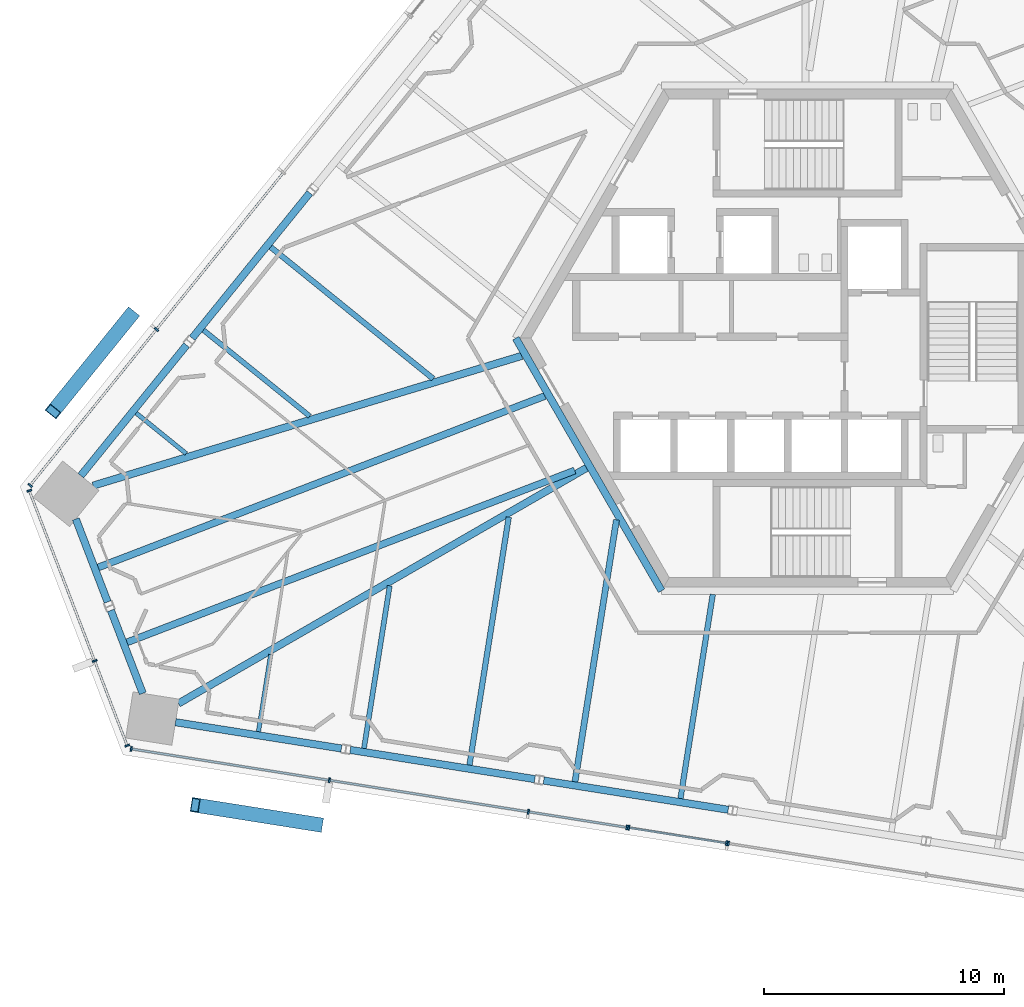
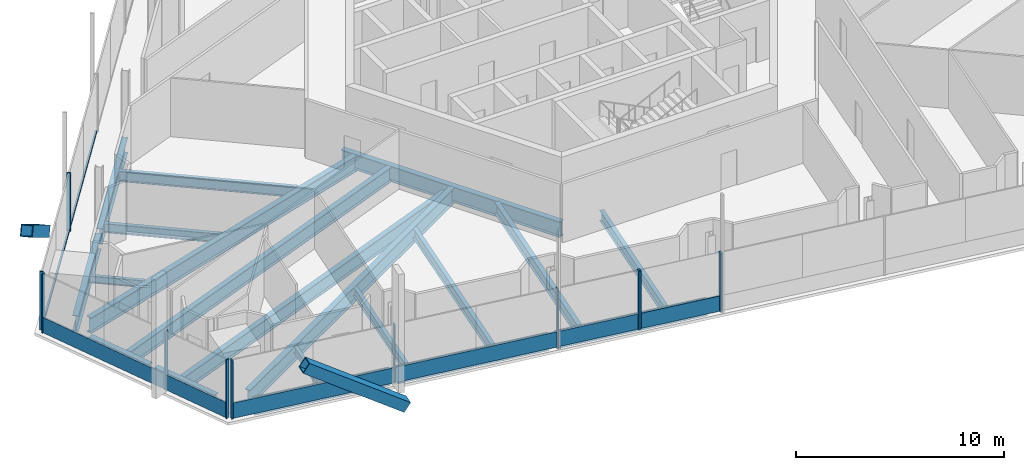
# One storey, part 4 of 23: 22 members, 20 beams, 5 elements without a shape of their own.
"""IFC4 building model written with IfcOpenShell, lengths in metres."""

import ifcopenshell
import ifcopenshell.guid

model = None  # the IFC model being written
_history = None  # IfcOwnerHistory: only IFC2X3 demands one
_inside = {}  # id of a spatial element -> (the spatial element, [elements in it])
_under = {}  # id of a project, library or spatial element -> (it, [spatial elements below it])
_declared = {}  # id of a project -> (the project, [libraries it declares])
_typed = {}  # id of a type object -> (the type object, [elements of that type])
_made_of = {}  # id of a material, layer set ... -> (it, [elements and type objects made of it])


def new_model(schema):
    """Start an empty IFC model of exactly this schema.

    Asked for "IFC4X3", IfcOpenShell would pick the latest addendum, in which some entities
    have other attributes; the version numbers below select the first issue.
    IFC2X3 requires an IfcOwnerHistory on every rooted entity: one is made here for all.
    """
    global model, _history
    if schema == "IFC4X3":
        model = ifcopenshell.file(schema_version=(4, 3, 0, 0))
    else:
        model = ifcopenshell.file(schema=schema)
    _inside.clear()
    _under.clear()
    _declared.clear()
    _typed.clear()
    _made_of.clear()
    _history = None
    if model.schema == "IFC2X3":
        org = make("IfcOrganization", Name="unknown")
        user = make(
            "IfcPersonAndOrganization",
            ThePerson=make("IfcPerson", FamilyName="unknown"),
            TheOrganization=org,
        )
        app = make(
            "IfcApplication",
            ApplicationDeveloper=org,
            Version="unknown",
            ApplicationFullName="unknown",
            ApplicationIdentifier="unknown",
        )
        _history = make(
            "IfcOwnerHistory",
            OwningUser=user,
            OwningApplication=app,
            ChangeAction="ADDED",
            CreationDate=0,
        )
    return model


def make(cls, **values):
    """One entity of the class cls with the attributes given. An attribute that is None is left unset."""
    return model.create_entity(
        cls, **{name: value for name, value in values.items() if value is not None}
    )


def rooted(cls, **values):
    """An entity with a GlobalId (a new one), such as an element, a storey or a relation."""
    return make(cls, GlobalId=ifcopenshell.guid.new(), OwnerHistory=_history, **values)


def si_unit(unit_type, name, prefix=None):
    """IfcSIUnit, for example si_unit("LENGTHUNIT", "METRE", prefix="MILLI")."""
    return make("IfcSIUnit", UnitType=unit_type, Prefix=prefix, Name=name)


def assignment(units):
    """IfcUnitAssignment: the units of a project."""
    return None if units is None else make("IfcUnitAssignment", Units=units)


def point(xyz):
    """IfcCartesianPoint."""
    return None if xyz is None else make("IfcCartesianPoint", Coordinates=xyz)


def direction(xyz):
    """IfcDirection."""
    return None if xyz is None else make("IfcDirection", DirectionRatios=xyz)


def frame(location, z_axis=None, x_axis=None):
    """IfcAxis2Placement3D, a coordinate frame: its origin and axes. An axis left out is left unset."""
    return make(
        "IfcAxis2Placement3D",
        Location=point(location),
        Axis=direction(z_axis),
        RefDirection=direction(x_axis),
    )


def frame_2d(location, x_axis=None):
    """IfcAxis2Placement2D, a coordinate frame in the plane: its origin and x axis."""
    return make(
        "IfcAxis2Placement2D", Location=point(location), RefDirection=direction(x_axis)
    )


def origin():
    """The frame at (0, 0, 0) with its axes left unset."""
    return frame((0.0, 0.0, 0.0))


def origin_2d():
    """The frame at (0, 0) in the plane with its x axis left unset."""
    return frame_2d((0.0, 0.0))


def place(relative_to, where):
    """IfcLocalPlacement: puts the frame where relative to a parent placement (None: the world)."""
    return make(
        "IfcLocalPlacement", PlacementRelTo=relative_to, RelativePlacement=where
    )


def context(
    kind, dimensions, precision=None, world=None, true_north=None, identifier=None
):
    """IfcGeometricRepresentationContext, for example the 3D "Model" context."""
    return make(
        "IfcGeometricRepresentationContext",
        ContextIdentifier=identifier,
        ContextType=kind,
        CoordinateSpaceDimension=dimensions,
        Precision=precision,
        WorldCoordinateSystem=world,
        TrueNorth=true_north,
    )


def subcontext(parent, identifier, kind, view, scale=None):
    """IfcGeometricRepresentationSubContext, for example "Body" below "Model"."""
    return make(
        "IfcGeometricRepresentationSubContext",
        ContextIdentifier=identifier,
        ContextType=kind,
        ParentContext=parent,
        TargetScale=scale,
        TargetView=view,
    )


def project(units=None, contexts=None):
    """IfcProject with its units and contexts."""
    return rooted(
        "IfcProject",
        Name="project",
        RepresentationContexts=contexts,
        UnitsInContext=assignment(units),
    )


def spatial(cls, under=None, at=None, **own):
    """A site, building, storey or space (cls), placed at a placement, below another one or the project."""
    s = rooted(cls, ObjectPlacement=at, **own)
    if under is not None:
        _under.setdefault(under.id(), (under, []))[1].append(s)
    return s


def profile(cls, at=None, kind="AREA", **sizes):
    """A parametric profile (cls). Its sizes go by their IFC names, for example OverallWidth=200.0."""
    return make(cls, ProfileType=kind, Position=at, **sizes)


def rectangle(**sizes):
    """IfcRectangleProfileDef."""
    return profile("IfcRectangleProfileDef", **sizes)


def hollow_rectangle(**sizes):
    """IfcRectangleHollowProfileDef."""
    return profile("IfcRectangleHollowProfileDef", **sizes)


def i_section(**sizes):
    """IfcIShapeProfileDef."""
    return profile("IfcIShapeProfileDef", **sizes)


def extrude(swept, where, along, depth):
    """IfcExtrudedAreaSolid: the profile swept, set in the frame where, extruded along a direction by depth."""
    return make(
        "IfcExtrudedAreaSolid",
        SweptArea=swept,
        Position=where,
        ExtrudedDirection=direction(along),
        Depth=depth,
    )


def shape(context_of_items, identifier, shape_type, items):
    """IfcShapeRepresentation: the items that make up one representation, for example the "Body"."""
    return make(
        "IfcShapeRepresentation",
        ContextOfItems=context_of_items,
        RepresentationIdentifier=identifier,
        RepresentationType=shape_type,
        Items=items,
    )


def source(mapping_origin, context_of_items, identifier, shape_type, items):
    """IfcRepresentationMap: a shape defined once, which mapped items show again and again."""
    return make(
        "IfcRepresentationMap",
        MappingOrigin=mapping_origin,
        MappedRepresentation=shape(context_of_items, identifier, shape_type, items),
    )


def transform(
    local_origin,
    x_axis=None,
    y_axis=None,
    z_axis=None,
    scale=None,
    scale2=None,
    scale3=None,
    uniform=True,
):
    """IfcCartesianTransformationOperator3D, or its non-uniform kind. x_axis, y_axis, z_axis: its Axis1, 2, 3."""
    if uniform:
        return make(
            "IfcCartesianTransformationOperator3D",
            Axis1=direction(x_axis),
            Axis2=direction(y_axis),
            LocalOrigin=point(local_origin),
            Scale=scale,
            Axis3=direction(z_axis),
        )
    return make(
        "IfcCartesianTransformationOperator3DnonUniform",
        Axis1=direction(x_axis),
        Axis2=direction(y_axis),
        LocalOrigin=point(local_origin),
        Scale=scale,
        Axis3=direction(z_axis),
        Scale2=scale2,
        Scale3=scale3,
    )


def mapped(mapping_source, mapping_target):
    """IfcMappedItem: shows the shape of a source again, moved by a transform."""
    return make(
        "IfcMappedItem", MappingSource=mapping_source, MappingTarget=mapping_target
    )


def material(Name=None, Category=None):
    """IfcMaterial."""
    return make("IfcMaterial", Name=Name, Category=Category)


def material_profile(
    of_material, cross_section, Name=None, Category=None, Priority=None
):
    """IfcMaterialProfile: a cross section and its material."""
    return make(
        "IfcMaterialProfile",
        Name=Name,
        Material=of_material,
        Profile=cross_section,
        Priority=Priority,
        Category=Category,
    )


def profile_set(profiles, Name=None, composite=None):
    """IfcMaterialProfileSet."""
    return make(
        "IfcMaterialProfileSet",
        Name=Name,
        MaterialProfiles=profiles,
        CompositeProfile=composite,
    )


def made_of(thing, what):
    """Note that an element or type object is made of a material, layer set ...; save() writes the relation."""
    if what is not None:
        _made_of.setdefault(what.id(), (what, []))[1].append(thing)
    return thing


def type_object(cls, material=None, **own):
    """A type object (cls), such as IfcWallType, which elements share."""
    return made_of(rooted(cls, **own), material)


def element(
    cls,
    number,
    at=None,
    inside=None,
    cuts=None,
    type_object=None,
    material=None,
    context=None,
    identifier="Body",
    shape_type=None,
    held_by="IfcProductDefinitionShape",
    body=None,
    shapes=None,
    **own,
):
    """One element of the class cls, such as IfcWall. Its Tag is "e" and its number.

    at: its placement. inside: the storey or other place that contains it. cuts: it is an
    opening in that element (IfcRelVoidsElement). A single representation is given by context,
    identifier, shape_type and body (its items); several are given by shapes. held_by: the class
    of the entity that holds the representations. save() writes the other relations.
    """
    e = rooted(cls, Tag="e%d" % number, ObjectPlacement=at, **own)
    if body is not None:
        shapes = [shape(context, identifier, shape_type, body)]
    if shapes is not None:
        e.Representation = make(held_by, Representations=shapes)
    if inside is not None:
        _inside.setdefault(inside.id(), (inside, []))[1].append(e)
    if cuts is not None:
        rooted(
            "IfcRelVoidsElement", RelatingBuildingElement=cuts, RelatedOpeningElement=e
        )
    if type_object is not None:
        _typed.setdefault(type_object.id(), (type_object, []))[1].append(e)
    return made_of(e, material)


def aggregate(whole, parts):
    """IfcRelAggregates: a whole, such as a stair, and the parts it consists of."""
    return rooted("IfcRelAggregates", RelatingObject=whole, RelatedObjects=parts)


def save(model, path):
    """Write the relations noted so far, then the file.

    IfcRelAggregates (storeys below a building ...), IfcRelContainedInSpatialStructure (elements
    in a storey), IfcRelDefinesByType, IfcRelAssociatesMaterial and IfcRelDeclares: one each for
    every whole, place, type object, material and project.
    """
    for whole, parts in _under.values():
        aggregate(whole, parts)
    for where, things in _inside.values():
        rooted(
            "IfcRelContainedInSpatialStructure",
            RelatedElements=things,
            RelatingStructure=where,
        )
    for kind, things in _typed.values():
        rooted("IfcRelDefinesByType", RelatedObjects=things, RelatingType=kind)
    for what, things in _made_of.values():
        rooted("IfcRelAssociatesMaterial", RelatedObjects=things, RelatingMaterial=what)
    for by, libraries in _declared.values():
        rooted("IfcRelDeclares", RelatingContext=by, RelatedDefinitions=libraries)
    model.write(path)


model = new_model("IFC4")

# Units and contexts
model_context = context("Model", 3, precision=1e-05, world=origin(), true_north=direction((0.0, 1.0)))
body_context = subcontext(model_context, "Body", "Model", "MODEL_VIEW")
ifc_project = project(units=[si_unit("LENGTHUNIT", "METRE"), si_unit("AREAUNIT", "SQUARE_METRE"), si_unit("VOLUMEUNIT", "CUBIC_METRE"), si_unit("PLANEANGLEUNIT", "RADIAN"), si_unit("MASSUNIT", "GRAM", prefix="KILO")], contexts=[model_context])

# Site, building, storey
site_placement = place(None, origin())
site = spatial("IfcSite", under=ifc_project, at=site_placement, CompositionType="ELEMENT")
building_placement = place(site_placement, origin())
building = spatial("IfcBuilding", under=site, at=building_placement, Name="Triune Harvest Tower", CompositionType="ELEMENT")
storey_placement = place(building_placement, frame((0.0, 0.0, 167.699951171875)))
storey = spatial("IfcBuildingStorey", under=building, at=storey_placement, Name="L43", CompositionType="ELEMENT", Elevation=167.699951171875)

# Curtain wall, member
ifc_material_1 = material(Name="Aluminium bronze anodised", Category="aluminium")
curtain_wall_type_1 = type_object("IfcCurtainWallType", Name="CW-10 Balcony window wall with insulated spandrel infill", PredefinedType="NOTDEFINED", material=ifc_material_1)
curtain_wall_1_placement = place(storey_placement, origin())
curtain_wall_1 = element("IfcCurtainWall", 1, at=curtain_wall_1_placement, inside=storey, type_object=curtain_wall_type_1, Name="CW-10 B4-F3 L43 run 2002")
ifc_material_2 = material(Name="Aluminium bronze anodised", Category="aluminium")
ifc_material_profile_1 = material_profile(ifc_material_2, rectangle(XDim=0.090087890625, YDim=0.14990234375, at=origin_2d()), Name="TR-6 transom 90 x 150")
ifc_profile_set_1 = profile_set([ifc_material_profile_1], Name="Aluminium bronze anodised")
member_type_1 = type_object("IfcMemberType", Name="TR-6 transom 90 x 150", PredefinedType="USERDEFINED", material=ifc_profile_set_1)
member_1_placement = place(storey_placement, frame((-21.900634765625, 6.88134765625, 0.074951171875), z_axis=(-0.629332878489, -0.777135849162, 0.0), x_axis=(0.777135849162, -0.629332878489, 0.0)))
member_1 = element("IfcMember", 2, at=member_1_placement, type_object=member_type_1, Name="CW-10 transom B4-F3 2002.2", ObjectType="TRANSOM", PredefinedType="USERDEFINED", context=body_context, shape_type="SweptSolid", body=[
    extrude(rectangle(XDim=0.090087890625, YDim=0.14990234375, at=origin_2d()), origin(), (0.0, 0.0, 1.0), 8.344970703125),
])

# Beams
ifc_material_3 = material(Name="Steel ASTM A992 Gr 50", Category="steel")
ifc_material_profile_2 = material_profile(ifc_material_3, i_section(OverallWidth=0.3046875, OverallDepth=0.914306640625, WebThickness=0.0166015625, FlangeThickness=0.02587890625, at=origin_2d()), Name="W36x160")
ifc_profile_set_2 = profile_set([ifc_material_profile_2], Name="Steel ASTM A992 Gr 50")
beam_type_1 = type_object("IfcBeamType", Name="CG-1 Core ring girder W36x160", PredefinedType="BEAM", material=ifc_profile_set_2)
shared_shape_1 = source(origin(), body_context, "Body", "SweptSolid", [
    extrude(i_section(OverallWidth=0.3046875, OverallDepth=0.914306640625, WebThickness=0.0166015625, FlangeThickness=0.02587890625, at=origin_2d()), origin(), (0.0, 0.0, 1.0), 12.176025390625),
])
beam_1_placement = place(storey_placement, frame((-12.176025390625, 0.0, -0.6171875), z_axis=(0.5000099932, -0.866019634131, 0.0), x_axis=(0.866019634131, 0.5000099932, 0.0)))
element("IfcBeam", 3, at=beam_1_placement, inside=storey, type_object=beam_type_1, Name="beam/L43/CG4", PredefinedType="BEAM", context=body_context, shape_type="MappedRepresentation", body=[
    mapped(shared_shape_1, transform((0.0, 0.0, 0.0), scale=1.0)),
])
ifc_material_4 = material(Name="Steel ASTM A992 Gr 50", Category="steel")
ifc_material_profile_3 = material_profile(ifc_material_4, i_section(OverallWidth=0.3046875, OverallDepth=0.914306640625, WebThickness=0.0166015625, FlangeThickness=0.02587890625, at=origin_2d()), Name="W36x160")
ifc_profile_set_3 = profile_set([ifc_material_profile_3], Name="Steel ASTM A992 Gr 50")
beam_type_2 = type_object("IfcBeamType", Name="SB-1 Spandrel beam W36x160", PredefinedType="SPANDREL", material=ifc_profile_set_3)
shared_shape_2 = source(origin(), body_context, "Body", "SweptSolid", [
    extrude(i_section(OverallWidth=0.3046875, OverallDepth=0.914306640625, WebThickness=0.0166015625, FlangeThickness=0.02587890625, at=origin_2d()), origin(), (0.0, 0.0, 1.0), 7.013427734375),
])
for number, where, z_axis, x_axis, name in (
    (4, (-25.920166015625, -0.2890625, -0.6171875), (-0.629311381255, -0.777153257358, 0.0), (0.777153257358, -0.629311381255, 0.0), "beam/L43/SB14"),
    (5, (-26.3828125, -16.031982421875, -0.6171875), (0.987682109987, -0.156473798484, 0.0), (0.156473798484, 0.987682109987, 0.0), "beam/L43/SB17"),
):
    element("IfcBeam", number, at=place(storey_placement, frame(where, z_axis=z_axis, x_axis=x_axis)), inside=storey, type_object=beam_type_2, Name=name, PredefinedType="SPANDREL", context=body_context, shape_type="MappedRepresentation", body=[
        mapped(shared_shape_2, transform((0.0, 0.0, 0.0), scale=1.0)),
    ])
shared_shape_3 = source(origin(), body_context, "Body", "SweptSolid", [
    extrude(i_section(OverallWidth=0.3046875, OverallDepth=0.914306640625, WebThickness=0.0166015625, FlangeThickness=0.02587890625, at=origin_2d()), origin(), (0.0, 0.0, 1.0), 7.8017578125),
])
beam_2_placement = place(storey_placement, frame((-20.775390625, 6.064208984375, -0.6171875), z_axis=(-0.629335951387, -0.777133360686, 0.0), x_axis=(0.777133360686, -0.629335951387, 0.0)))
element("IfcBeam", 6, at=beam_2_placement, inside=storey, type_object=beam_type_2, Name="beam/L43/SB13", PredefinedType="SPANDREL", context=body_context, shape_type="MappedRepresentation", body=[
    mapped(shared_shape_3, transform((0.0, 0.0, 0.0), scale=1.0)),
])
shared_shape_4 = source(origin(), body_context, "Body", "SweptSolid", [
    extrude(i_section(OverallWidth=0.3046875, OverallDepth=0.914306640625, WebThickness=0.0166015625, FlangeThickness=0.02587890625, at=origin_2d()), origin(), (0.0, 0.0, 1.0), 3.71240234375),
])
beam_3_placement = place(storey_placement, frame((-30.5439453125, -7.548095703125, -0.6171875), z_axis=(0.358406131368, -0.933565768973, 0.0), x_axis=(0.933565768973, 0.358406131368, 0.0)))
element("IfcBeam", 7, at=beam_3_placement, inside=storey, type_object=beam_type_2, Name="beam/L43/SB15", PredefinedType="SPANDREL", context=body_context, shape_type="MappedRepresentation", body=[
    mapped(shared_shape_4, transform((0.0, 0.0, 0.0), scale=1.0)),
])
shared_shape_5 = source(origin(), body_context, "Body", "SweptSolid", [
    extrude(i_section(OverallWidth=0.3046875, OverallDepth=0.914306640625, WebThickness=0.0166015625, FlangeThickness=0.02587890625, at=origin_2d()), origin(), (0.0, 0.0, 1.0), 7.801513671875),
])
for number, where, z_axis, x_axis, name in (
    (8, (-19.087158203125, -17.187744140625, -0.6171875), (0.98768800071, -0.156436610974, 0.0), (0.156436610974, 0.98768800071, 0.0), "beam/L43/SB18"),
    (9, (-11.0126953125, -18.466552734375, -0.6171875), (0.98768800071, -0.156436610974, 0.0), (0.156436610974, 0.98768800071, 0.0), "beam/L43/SB19"),
):
    element("IfcBeam", number, at=place(storey_placement, frame(where, z_axis=z_axis, x_axis=x_axis)), inside=storey, type_object=beam_type_2, Name=name, PredefinedType="SPANDREL", context=body_context, shape_type="MappedRepresentation", body=[
        mapped(shared_shape_5, transform((0.0, 0.0, 0.0), scale=1.0)),
    ])
shared_shape_6 = source(origin(), body_context, "Body", "SweptSolid", [
    extrude(i_section(OverallWidth=0.3046875, OverallDepth=0.914306640625, WebThickness=0.0166015625, FlangeThickness=0.02587890625, at=origin_2d()), origin(), (0.0, 0.0, 1.0), 3.712646484375),
])
beam_4_placement = place(storey_placement, frame((-29.07958984375, -11.362548828125, -0.6171875), z_axis=(0.358326814132, -0.933596215863, 0.0), x_axis=(0.933596215863, 0.358326814132, 0.0)))
element("IfcBeam", 10, at=beam_4_placement, inside=storey, type_object=beam_type_2, Name="beam/L43/SB16", PredefinedType="SPANDREL", context=body_context, shape_type="MappedRepresentation", body=[
    mapped(shared_shape_6, transform((0.0, 0.0, 0.0), scale=1.0)),
])
ifc_material_5 = material(Name="Steel ASTM A992 Gr 50", Category="steel")
ifc_material_profile_4 = material_profile(ifc_material_5, i_section(OverallWidth=0.307373046875, OverallDepth=0.922119140625, WebThickness=0.018310546875, FlangeThickness=0.030029296875, at=origin_2d()), Name="W36x182")
ifc_profile_set_4 = profile_set([ifc_material_profile_4], Name="Steel ASTM A992 Gr 50")
beam_type_3 = type_object("IfcBeamType", Name="HG-2 Hip girder W36x182", PredefinedType="BEAM", material=ifc_profile_set_4)
shared_shape_7 = source(origin(), body_context, "Body", "SweptSolid", [
    extrude(i_section(OverallWidth=0.307373046875, OverallDepth=0.922119140625, WebThickness=0.018310546875, FlangeThickness=0.030029296875, at=origin_2d()), origin(), (0.0, 0.0, 1.0), 19.670166015625),
])
beam_5_placement = place(storey_placement, frame((-26.25927734375, -15.252197265625, -0.620849609375), z_axis=(0.866028709221, 0.499994274773, 0.0), x_axis=(-0.499994274773, 0.866028709221, 0.0)))
element("IfcBeam", 11, at=beam_5_placement, inside=storey, type_object=beam_type_3, Name="beam/L43/HG6", PredefinedType="BEAM", context=body_context, shape_type="MappedRepresentation", body=[
    mapped(shared_shape_7, transform((0.0, 0.0, 0.0), scale=1.0)),
])
shared_shape_8 = source(origin(), body_context, "Body", "SweptSolid", [
    extrude(i_section(OverallWidth=0.307373046875, OverallDepth=0.922119140625, WebThickness=0.018310546875, FlangeThickness=0.030029296875, at=origin_2d()), origin(), (0.0, 0.0, 1.0), 18.69580078125),
])
beam_6_placement = place(storey_placement, frame((-29.819580078125, -6.15576171875, -0.620849609375), z_axis=(0.957096860763, 0.289768181686, 0.0), x_axis=(-0.289768181686, 0.957096860763, 0.0)))
element("IfcBeam", 12, at=beam_6_placement, inside=storey, type_object=beam_type_3, Name="beam/L43/HG5", PredefinedType="BEAM", context=body_context, shape_type="MappedRepresentation", body=[
    mapped(shared_shape_8, transform((0.0, 0.0, 0.0), scale=1.0)),
])
ifc_material_6 = material(Name="Steel ASTM A992 Gr 50", Category="steel")
ifc_material_profile_5 = material_profile(ifc_material_6, i_section(OverallWidth=0.2099609375, OverallDepth=0.535888671875, WebThickness=0.010986328125, FlangeThickness=0.017333984375, at=origin_2d()), Name="W21x68")
ifc_profile_set_5 = profile_set([ifc_material_profile_5], Name="Steel ASTM A992 Gr 50")
beam_type_4 = type_object("IfcBeamType", Name="JT-2 Floor joist W21x68", PredefinedType="JOIST", material=ifc_profile_set_5)
shared_shape_9 = source(origin(), body_context, "Body", "SweptSolid", [
    extrude(i_section(OverallWidth=0.2099609375, OverallDepth=0.535888671875, WebThickness=0.010986328125, FlangeThickness=0.017333984375, at=origin_2d()), origin(), (0.0, 0.0, 1.0), 6.871826171875),
])
beam_7_placement = place(storey_placement, frame((-18.513671875, -17.124267578125, -0.427978515625), z_axis=(0.156431434427, 0.987688820592, 0.0), x_axis=(-0.987688820592, 0.156431434427, 0.0)))
element("IfcBeam", 13, at=beam_7_placement, inside=storey, type_object=beam_type_4, Name="beam/L43/JT26", PredefinedType="JOIST", context=body_context, shape_type="MappedRepresentation", body=[
    mapped(shared_shape_9, transform((0.0, 0.0, 0.0), scale=1.0)),
])
ifc_material_7 = material(Name="Steel ASTM A992 Gr 50", Category="steel")
ifc_material_profile_6 = material_profile(ifc_material_7, i_section(OverallWidth=0.22900390625, OverallDepth=0.612060546875, WebThickness=0.011962890625, FlangeThickness=0.01953125, at=origin_2d()), Name="W24x84")
ifc_profile_set_6 = profile_set([ifc_material_profile_6], Name="Steel ASTM A992 Gr 50")
beam_type_5 = type_object("IfcBeamType", Name="JT-3 Floor joist W24x84", PredefinedType="JOIST", material=ifc_profile_set_6)
shared_shape_10 = source(origin(), body_context, "Body", "SweptSolid", [
    extrude(i_section(OverallWidth=0.22900390625, OverallDepth=0.612060546875, WebThickness=0.011962890625, FlangeThickness=0.01953125, at=origin_2d()), origin(), (0.0, 0.0, 1.0), 10.482666015625),
])
beam_8_placement = place(storey_placement, frame((-14.109375, -17.82177734375, -0.466064453125), z_axis=(0.156439750993, 0.987687503368, 0.0), x_axis=(-0.987687503368, 0.156439750993, 0.0)))
element("IfcBeam", 14, at=beam_8_placement, inside=storey, type_object=beam_type_5, Name="beam/L43/JT27", PredefinedType="JOIST", context=body_context, shape_type="MappedRepresentation", body=[
    mapped(shared_shape_10, transform((0.0, 0.0, 0.0), scale=1.0)),
])
shared_shape_11 = source(origin(), body_context, "Body", "SweptSolid", [
    extrude(i_section(OverallWidth=0.22900390625, OverallDepth=0.612060546875, WebThickness=0.011962890625, FlangeThickness=0.01953125, at=origin_2d()), origin(), (0.0, 0.0, 1.0), 8.738037109375),
])
beam_9_placement = place(storey_placement, frame((-22.410400390625, 3.802978515625, -0.466064453125), z_axis=(0.777147913906, -0.629317979968, 0.0), x_axis=(0.629317979968, 0.777147913906, 0.0)))
element("IfcBeam", 15, at=beam_9_placement, inside=storey, type_object=beam_type_5, Name="beam/L43/JT20", PredefinedType="JOIST", context=body_context, shape_type="MappedRepresentation", body=[
    mapped(shared_shape_11, transform((0.0, 0.0, 0.0), scale=1.0)),
])
ifc_material_8 = material(Name="Steel ASTM A992 Gr 50", Category="steel")
ifc_material_profile_7 = material_profile(ifc_material_8, i_section(OverallWidth=0.180908203125, OverallDepth=0.41650390625, WebThickness=0.010986328125, FlangeThickness=0.01806640625, at=origin_2d()), Name="W16x57")
ifc_profile_set_7 = profile_set([ifc_material_profile_7], Name="Steel ASTM A992 Gr 50")
beam_type_6 = type_object("IfcBeamType", Name="JT-1 Floor joist W16x57", PredefinedType="JOIST", material=ifc_profile_set_7)
shared_shape_12 = source(origin(), body_context, "Body", "SweptSolid", [
    extrude(i_section(OverallWidth=0.180908203125, OverallDepth=0.41650390625, WebThickness=0.010986328125, FlangeThickness=0.01806640625, at=origin_2d()), origin(), (0.0, 0.0, 1.0), 2.687255859375),
])
beam_10_placement = place(storey_placement, frame((-28.022705078125, -3.127685546875, -0.3681640625), z_axis=(0.777141190223, -0.629326282987, 0.0), x_axis=(0.629326282987, 0.777141190223, 0.0)))
element("IfcBeam", 16, at=beam_10_placement, inside=storey, type_object=beam_type_6, Name="beam/L43/JT22", PredefinedType="JOIST", context=body_context, shape_type="MappedRepresentation", body=[
    mapped(shared_shape_12, transform((0.0, 0.0, 0.0), scale=1.0)),
])
ifc_material_9 = material(Name="Steel ASTM A992 Gr 50", Category="steel")
ifc_material_profile_8 = material_profile(ifc_material_9, i_section(OverallWidth=0.2919921875, OverallDepth=0.8583984375, WebThickness=0.01708984375, FlangeThickness=0.031005859375, at=origin_2d()), Name="W33x169")
ifc_profile_set_8 = profile_set([ifc_material_profile_8], Name="Steel ASTM A992 Gr 50")
beam_type_7 = type_object("IfcBeamType", Name="JT-7 Floor joist W33x169", PredefinedType="JOIST", material=ifc_profile_set_8)
shared_shape_13 = source(origin(), body_context, "Body", "SweptSolid", [
    extrude(i_section(OverallWidth=0.2919921875, OverallDepth=0.8583984375, WebThickness=0.01708984375, FlangeThickness=0.031005859375, at=origin_2d()), origin(), (0.0, 0.0, 1.0), 19.97216796875),
])
beam_11_placement = place(storey_placement, frame((-29.6044921875, -9.570068359375, -0.58935546875), z_axis=(0.933578234713, 0.358373659287, 0.0), x_axis=(-0.358373659287, 0.933578234713, 0.0)))
element("IfcBeam", 17, at=beam_11_placement, inside=storey, type_object=beam_type_7, Name="beam/L43/JT23", PredefinedType="JOIST", context=body_context, shape_type="MappedRepresentation", body=[
    mapped(shared_shape_13, transform((0.0, 0.0, 0.0), scale=1.0)),
])
shared_shape_14 = source(origin(), body_context, "Body", "SweptSolid", [
    extrude(i_section(OverallWidth=0.180908203125, OverallDepth=0.41650390625, WebThickness=0.010986328125, FlangeThickness=0.01806640625, at=origin_2d()), origin(), (0.0, 0.0, 1.0), 3.2607421875),
])
beam_12_placement = place(storey_placement, frame((-22.917724609375, -16.4267578125, -0.3681640625), z_axis=(0.156404699139, 0.987693054591, 0.0), x_axis=(-0.987693054591, 0.156404699139, 0.0)))
element("IfcBeam", 18, at=beam_12_placement, inside=storey, type_object=beam_type_6, Name="beam/L43/JT25", PredefinedType="JOIST", context=body_context, shape_type="MappedRepresentation", body=[
    mapped(shared_shape_14, transform((0.0, 0.0, 0.0), scale=1.0)),
])
ifc_material_10 = material(Name="Steel ASTM A992 Gr 50", Category="steel")
ifc_material_profile_9 = material_profile(ifc_material_10, i_section(OverallWidth=0.253662109375, OverallDepth=0.683349609375, WebThickness=0.012451171875, FlangeThickness=0.01904296875, at=origin_2d()), Name="W27x94")
ifc_profile_set_9 = profile_set([ifc_material_profile_9], Name="Steel ASTM A992 Gr 50")
beam_type_8 = type_object("IfcBeamType", Name="JT-4 Floor joist W27x94", PredefinedType="JOIST", material=ifc_profile_set_9)
shared_shape_15 = source(origin(), body_context, "Body", "SweptSolid", [
    extrude(i_section(OverallWidth=0.253662109375, OverallDepth=0.683349609375, WebThickness=0.012451171875, FlangeThickness=0.01904296875, at=origin_2d()), origin(), (0.0, 0.0, 1.0), 11.0712890625),
])
beam_13_placement = place(storey_placement, frame((-9.705078125, -18.519287109375, -0.50146484375), z_axis=(0.156433624309, 0.987688473753, 0.0), x_axis=(-0.987688473753, 0.156433624309, 0.0)))
element("IfcBeam", 19, at=beam_13_placement, inside=storey, type_object=beam_type_8, Name="beam/L43/JT28", PredefinedType="JOIST", context=body_context, shape_type="MappedRepresentation", body=[
    mapped(shared_shape_15, transform((0.0, 0.0, 0.0), scale=1.0)),
])
shared_shape_16 = source(origin(), body_context, "Body", "SweptSolid", [
    extrude(i_section(OverallWidth=0.22900390625, OverallDepth=0.612060546875, WebThickness=0.011962890625, FlangeThickness=0.01953125, at=origin_2d()), origin(), (0.0, 0.0, 1.0), 8.6259765625),
])
beam_14_placement = place(storey_placement, frame((-5.301025390625, -19.216796875, -0.466064453125), z_axis=(0.156430549504, 0.987688960747, 0.0), x_axis=(-0.987688960747, 0.156430549504, 0.0)))
element("IfcBeam", 20, at=beam_14_placement, inside=storey, type_object=beam_type_5, Name="beam/L43/JT29", PredefinedType="JOIST", context=body_context, shape_type="MappedRepresentation", body=[
    mapped(shared_shape_16, transform((0.0, 0.0, 0.0), scale=1.0)),
])
shared_shape_17 = source(origin(), body_context, "Body", "SweptSolid", [
    extrude(i_section(OverallWidth=0.2099609375, OverallDepth=0.535888671875, WebThickness=0.010986328125, FlangeThickness=0.017333984375, at=origin_2d()), origin(), (0.0, 0.0, 1.0), 5.71240234375),
])
beam_15_placement = place(storey_placement, frame((-25.216552734375, 0.337646484375, -0.427978515625), z_axis=(0.777148320449, -0.629317477926, 0.0), x_axis=(0.629317477926, 0.777148320449, 0.0)))
element("IfcBeam", 21, at=beam_15_placement, inside=storey, type_object=beam_type_4, Name="beam/L43/JT21", PredefinedType="JOIST", context=body_context, shape_type="MappedRepresentation", body=[
    mapped(shared_shape_17, transform((0.0, 0.0, 0.0), scale=1.0)),
])
shared_shape_18 = source(origin(), body_context, "Body", "SweptSolid", [
    extrude(i_section(OverallWidth=0.2919921875, OverallDepth=0.8583984375, WebThickness=0.01708984375, FlangeThickness=0.031005859375, at=origin_2d()), origin(), (0.0, 0.0, 1.0), 20.01611328125),
])
beam_16_placement = place(storey_placement, frame((-28.404052734375, -12.697509765625, -0.58935546875), z_axis=(0.933581802132, 0.358364365875, 0.0), x_axis=(-0.358364365875, 0.933581802132, 0.0)))
element("IfcBeam", 22, at=beam_16_placement, inside=storey, type_object=beam_type_7, Name="beam/L43/JT24", PredefinedType="JOIST", context=body_context, shape_type="MappedRepresentation", body=[
    mapped(shared_shape_18, transform((0.0, 0.0, 0.0), scale=1.0)),
])

# Members
ifc_material_11 = material(Name="Steel ASTM A572 Gr 50", Category="steel")
ifc_material_profile_10 = material_profile(ifc_material_11, hollow_rectangle(XDim=0.60009765625, YDim=0.60009765625, WallThickness=0.0400390625, at=origin_2d()), Name="Box 600x600x40")
ifc_profile_set_10 = profile_set([ifc_material_profile_10], Name="Steel ASTM A572 Gr 50")
member_type_2 = type_object("IfcMemberType", Name="BR-2 Brace Box 600x600x40", PredefinedType="BRACE", material=ifc_profile_set_10)
shared_shape_19 = source(origin(), body_context, "Body", "SweptSolid", [
    extrude(hollow_rectangle(XDim=0.60009765625, YDim=0.60009765625, WallThickness=0.0400390625, at=origin_2d()), origin(), (0.0, 0.0, 1.0), 6.329345703125),
])
for number, where, z_axis, x_axis, name in (
    (23, (-28.216796875, 0.98828125, 0.0), (-0.517605985809, -0.639186883587, 0.568791852355), (0.777144383745, -0.629322339357, 0.0), "brace/B4-F3/d1/9"),
    (24, (-20.41748046875, -20.306640625, 0.0), (-0.812348503094, 0.128679705903, 0.568798244379), (-0.15645384908, -0.98768527027, 0.0), "brace/B4-F5/d2/9"),
):
    element("IfcMember", number, at=place(storey_placement, frame(where, z_axis=z_axis, x_axis=x_axis)), inside=storey, type_object=member_type_2, Name=name, PredefinedType="BRACE", context=body_context, shape_type="MappedRepresentation", body=[
        mapped(shared_shape_19, transform((0.0, 0.0, 0.0), scale=1.0)),
    ])

# Curtain wall, members
ifc_material_12 = material(Name="Aluminium bronze anodised", Category="aluminium")
curtain_wall_type_2 = type_object("IfcCurtainWallType", Name="CW-7 Tower stick curtain wall with insulated spandrel infill", PredefinedType="NOTDEFINED", material=ifc_material_12)
curtain_wall_2_placement = place(storey_placement, origin())
curtain_wall_2 = element("IfcCurtainWall", 25, at=curtain_wall_2_placement, inside=storey, type_object=curtain_wall_type_2, Name="CW-7 B4-F4 L43 run 1")
ifc_material_13 = material(Name="Aluminium bronze anodised", Category="aluminium")
ifc_material_profile_11 = material_profile(ifc_material_13, rectangle(XDim=0.199951171875, YDim=0.074951171875, at=origin_2d()), Name="MU-1 mullion 75 x 200")
ifc_profile_set_11 = profile_set([ifc_material_profile_11], Name="Aluminium bronze anodised")
member_type_3 = type_object("IfcMemberType", Name="MU-1 mullion 75 x 200", PredefinedType="MULLION", material=ifc_profile_set_11)
shared_shape_20 = source(origin(), body_context, "Body", "SweptSolid", [
    extrude(rectangle(XDim=0.199951171875, YDim=0.074951171875, at=origin_2d()), origin(), (0.0, 0.0, 1.0), 3.43994140625),
])
member_2_placement = place(storey_placement, frame((-32.485595703125, -6.365234375, 0.0), z_axis=(0.0, 0.0, 1.0), x_axis=(0.933580057745, 0.358368910177, 0.0)))
member_2 = element("IfcMember", 26, at=member_2_placement, type_object=member_type_3, Name="CW-7 mullion B4-F4 1.1", PredefinedType="MULLION", context=body_context, shape_type="MappedRepresentation", body=[
    mapped(shared_shape_20, transform((0.0, 0.0, 0.0), scale=1.0)),
])
member_3_placement = place(storey_placement, frame((-29.7578125, -13.47119140625, 0.0), z_axis=(0.0, 0.0, 1.0), x_axis=(0.933580057745, 0.358368910177, 0.0)))
member_3 = element("IfcMember", 27, at=member_3_placement, type_object=member_type_3, Name="CW-7 mullion B4-F4 1.3", PredefinedType="MULLION", context=body_context, shape_type="MappedRepresentation", body=[
    mapped(shared_shape_20, transform((0.0, 0.0, 0.0), scale=1.0)),
])
member_4_placement = place(storey_placement, frame((-28.400634765625, -17.0068359375, 0.0), z_axis=(0.0, 0.0, 1.0), x_axis=(0.933580057745, 0.358368910177, 0.0)))
member_4 = element("IfcMember", 28, at=member_4_placement, type_object=member_type_3, Name="CW-7 mullion B4-F4 1.4", PredefinedType="MULLION", context=body_context, shape_type="MappedRepresentation", body=[
    mapped(shared_shape_20, transform((0.0, 0.0, 0.0), scale=1.0)),
])

curtain_wall_3_placement = place(storey_placement, origin())
curtain_wall_3 = element("IfcCurtainWall", 29, at=curtain_wall_3_placement, inside=storey, type_object=curtain_wall_type_2, Name="CW-7 B4-F5 L43 run 1")
member_5_placement = place(storey_placement, frame((-28.22900390625, -17.145751953125, 0.0), z_axis=(0.0, 0.0, 1.0), x_axis=(0.156434720031, 0.987688300209, 0.0)))
member_5 = element("IfcMember", 30, at=member_5_placement, type_object=member_type_3, Name="CW-7 mullion B4-F5 1.1", PredefinedType="MULLION", context=body_context, shape_type="MappedRepresentation", body=[
    mapped(shared_shape_20, transform((0.0, 0.0, 0.0), scale=1.0)),
])
member_6_placement = place(storey_placement, frame((-19.95751953125, -18.455810546875, 0.0), z_axis=(0.0, 0.0, 1.0), x_axis=(0.156434720031, 0.987688300209, 0.0)))
member_6 = element("IfcMember", 31, at=member_6_placement, type_object=member_type_3, Name="CW-7 mullion B4-F5 1.3", PredefinedType="MULLION", context=body_context, shape_type="MappedRepresentation", body=[
    mapped(shared_shape_20, transform((0.0, 0.0, 0.0), scale=1.0)),
])
member_7_placement = place(storey_placement, frame((-11.648681640625, -19.771728515625, 0.0), z_axis=(0.0, 0.0, 1.0), x_axis=(0.156434720031, 0.987688300209, 0.0)))
member_7 = element("IfcMember", 32, at=member_7_placement, type_object=member_type_3, Name="CW-7 mullion B4-F5 1.5", PredefinedType="MULLION", context=body_context, shape_type="MappedRepresentation", body=[
    mapped(shared_shape_20, transform((0.0, 0.0, 0.0), scale=1.0)),
])
member_8_placement = place(storey_placement, frame((-7.531494140625, -20.423828125, 0.0), z_axis=(0.0, 0.0, 1.0), x_axis=(0.156434720031, 0.987688300209, 0.0)))
member_8 = element("IfcMember", 33, at=member_8_placement, type_object=member_type_3, Name="CW-7 mullion B4-F5 1.6", PredefinedType="MULLION", context=body_context, shape_type="MappedRepresentation", body=[
    mapped(shared_shape_20, transform((0.0, 0.0, 0.0), scale=1.0)),
])

ifc_material_14 = material(Name="Aluminium bronze anodised", Category="aluminium")
curtain_wall_type_3 = type_object("IfcCurtainWallType", Name="CW-1 Tower stick curtain wall", PredefinedType="NOTDEFINED", material=ifc_material_14)
curtain_wall_4_placement = place(storey_placement, origin())
curtain_wall_4 = element("IfcCurtainWall", 34, at=curtain_wall_4_placement, inside=storey, type_object=curtain_wall_type_3, Name="CW-1 B4-F5 L43 run 1001")
member_9_placement = place(storey_placement, frame((-7.457275390625, -20.435546875, 0.0), z_axis=(0.0, 0.0, 1.0), x_axis=(0.156436246492, 0.987688058439, 0.0)))
member_9 = element("IfcMember", 35, at=member_9_placement, type_object=member_type_3, Name="CW-1 mullion B4-F5 1001.1", PredefinedType="MULLION", context=body_context, shape_type="MappedRepresentation", body=[
    mapped(shared_shape_20, transform((0.0, 0.0, 0.0), scale=1.0)),
])
member_10_placement = place(storey_placement, frame((-3.376953125, -21.08203125, 0.0), z_axis=(0.0, 0.0, 1.0), x_axis=(0.156436246492, 0.987688058439, 0.0)))
member_10 = element("IfcMember", 36, at=member_10_placement, type_object=member_type_3, Name="CW-1 mullion B4-F5 1001.2", PredefinedType="MULLION", context=body_context, shape_type="MappedRepresentation", body=[
    mapped(shared_shape_20, transform((0.0, 0.0, 0.0), scale=1.0)),
])

# Curtain wall, member
curtain_wall_5_placement = place(storey_placement, origin())
curtain_wall_5 = element("IfcCurtainWall", 37, at=curtain_wall_5_placement, inside=storey, type_object=curtain_wall_type_2, Name="CW-7 B4-F5 L43 run 2001")
member_11_placement = place(storey_placement, frame((-3.302978515625, -21.09375, 0.0), z_axis=(0.0, 0.0, 1.0), x_axis=(0.156434974453, 0.987688259912, 0.0)))
member_11 = element("IfcMember", 38, at=member_11_placement, type_object=member_type_3, Name="CW-7 mullion B4-F5 2001.1", PredefinedType="MULLION", context=body_context, shape_type="MappedRepresentation", body=[
    mapped(shared_shape_20, transform((0.0, 0.0, 0.0), scale=1.0)),
])
aggregate(curtain_wall_5, [member_11])

# Member
ifc_material_15 = material(Name="Aluminium bronze anodised", Category="aluminium")
ifc_material_profile_12 = material_profile(ifc_material_15, rectangle(XDim=0.199951171875, YDim=0.074951171875, at=origin_2d()), Name="MU-6 mullion 75 x 200")
ifc_profile_set_12 = profile_set([ifc_material_profile_12], Name="Aluminium bronze anodised")
member_type_4 = type_object("IfcMemberType", Name="MU-6 mullion 75 x 200", PredefinedType="MULLION", material=ifc_profile_set_12)
shared_shape_21 = source(origin(), body_context, "Body", "SweptSolid", [
    extrude(rectangle(XDim=0.199951171875, YDim=0.074951171875, at=origin_2d()), origin(), (0.0, 0.0, 1.0), 3.43994140625),
])
member_12_placement = place(storey_placement, frame((-27.176025390625, 0.3671875, 0.0), z_axis=(0.0, 0.0, 1.0), x_axis=(0.777144540108, -0.629322146266, 0.0)))
member_12 = element("IfcMember", 39, at=member_12_placement, type_object=member_type_4, Name="CW-10 mullion B4-F3 2002.5", PredefinedType="MULLION", context=body_context, shape_type="MappedRepresentation", body=[
    mapped(shared_shape_21, transform((0.0, 0.0, 0.0), scale=1.0)),
])

member_13_placement = place(storey_placement, frame((-32.451171875, -6.147216796875, 0.0), z_axis=(0.0, 0.0, 1.0), x_axis=(0.777144540108, -0.629322146266, 0.0)))
member_13 = element("IfcMember", 40, at=member_13_placement, type_object=member_type_4, Name="CW-10 mullion B4-F3 2002.7", PredefinedType="MULLION", context=body_context, shape_type="MappedRepresentation", body=[
    mapped(shared_shape_21, transform((0.0, 0.0, 0.0), scale=1.0)),
])

ifc_material_16 = material(Name="Aluminium bronze anodised", Category="aluminium")
ifc_material_profile_13 = material_profile(ifc_material_16, rectangle(XDim=0.090087890625, YDim=0.89990234375, at=origin_2d()), Name="TR-1 transom 90 x 900")
ifc_profile_set_13 = profile_set([ifc_material_profile_13], Name="Aluminium bronze anodised")
member_type_5 = type_object("IfcMemberType", Name="TR-1 transom 90 x 900", PredefinedType="USERDEFINED", material=ifc_profile_set_13)
shared_shape_22 = source(origin(), body_context, "Body", "SweptSolid", [
    extrude(rectangle(XDim=0.090087890625, YDim=0.89990234375, at=origin_2d()), origin(), (0.0, 0.0, 1.0), 3.7119140625),
])
member_14_placement = place(storey_placement, frame((-29.744384765625, -13.50634765625, 0.449951171875), z_axis=(0.358392822083, -0.933570878444, 0.0), x_axis=(0.933570878444, 0.358392822083, 0.0)))
member_14 = element("IfcMember", 41, at=member_14_placement, type_object=member_type_5, Name="CW-7 transom B4-F4 1.2", ObjectType="TRANSOM", PredefinedType="USERDEFINED", context=body_context, shape_type="MappedRepresentation", body=[
    mapped(shared_shape_22, transform((0.0, 0.0, 0.0), scale=1.0)),
])

shared_shape_23 = source(origin(), body_context, "Body", "SweptSolid", [
    extrude(rectangle(XDim=0.090087890625, YDim=0.89990234375, at=origin_2d()), origin(), (0.0, 0.0, 1.0), 8.337158203125),
])
member_15_placement = place(storey_placement, frame((-19.92041015625, -18.461669921875, 0.449951171875), z_axis=(0.987689013774, -0.156430214699, 0.0), x_axis=(0.156430214699, 0.987689013774, 0.0)))
member_15 = element("IfcMember", 42, at=member_15_placement, type_object=member_type_5, Name="CW-7 transom B4-F5 1.2", ObjectType="TRANSOM", PredefinedType="USERDEFINED", context=body_context, shape_type="MappedRepresentation", body=[
    mapped(shared_shape_23, transform((0.0, 0.0, 0.0), scale=1.0)),
])

shared_shape_24 = source(origin(), body_context, "Body", "SweptSolid", [
    extrude(rectangle(XDim=0.090087890625, YDim=0.89990234375, at=origin_2d()), origin(), (0.0, 0.0, 1.0), 7.53662109375),
])
member_16_placement = place(storey_placement, frame((-32.47216796875, -6.400146484375, 0.449951171875), z_axis=(0.358369036816, -0.933580009132, 0.0), x_axis=(0.933580009132, 0.358369036816, 0.0)))
member_16 = element("IfcMember", 43, at=member_16_placement, type_object=member_type_5, Name="CW-7 transom B4-F4 1.1", ObjectType="TRANSOM", PredefinedType="USERDEFINED", context=body_context, shape_type="MappedRepresentation", body=[
    mapped(shared_shape_24, transform((0.0, 0.0, 0.0), scale=1.0)),
])

aggregate(curtain_wall_2, [member_2, member_3, member_4, member_16, member_14])

shared_shape_25 = source(origin(), body_context, "Body", "SweptSolid", [
    extrude(rectangle(XDim=0.090087890625, YDim=0.89990234375, at=origin_2d()), origin(), (0.0, 0.0, 1.0), 4.056396484375),
])
member_17_placement = place(storey_placement, frame((-7.42041015625, -20.441650390625, 0.449951171875), z_axis=(0.987689165137, -0.156429259, 0.0), x_axis=(0.156429259, 0.987689165137, 0.0)))
member_17 = element("IfcMember", 44, at=member_17_placement, type_object=member_type_5, Name="CW-1 transom B4-F5 1001.1", ObjectType="TRANSOM", PredefinedType="USERDEFINED", context=body_context, shape_type="MappedRepresentation", body=[
    mapped(shared_shape_25, transform((0.0, 0.0, 0.0), scale=1.0)),
])

aggregate(curtain_wall_4, [member_9, member_10, member_17])

shared_shape_26 = source(origin(), body_context, "Body", "SweptSolid", [
    extrude(rectangle(XDim=0.090087890625, YDim=0.89990234375, at=origin_2d()), origin(), (0.0, 0.0, 1.0), 8.300048828125),
])
member_18_placement = place(storey_placement, frame((-28.192138671875, -17.151611328125, 0.449951171875), z_axis=(0.987689398324, -0.156427786655, 0.0), x_axis=(0.156427786655, 0.987689398324, 0.0)))
member_18 = element("IfcMember", 45, at=member_18_placement, type_object=member_type_5, Name="CW-7 transom B4-F5 1.1", ObjectType="TRANSOM", PredefinedType="USERDEFINED", context=body_context, shape_type="MappedRepresentation", body=[
    mapped(shared_shape_26, transform((0.0, 0.0, 0.0), scale=1.0)),
])

shared_shape_27 = source(origin(), body_context, "Body", "SweptSolid", [
    extrude(rectangle(XDim=0.090087890625, YDim=0.14990234375, at=origin_2d()), origin(), (0.0, 0.0, 1.0), 8.30712890625),
])
member_19_placement = place(storey_placement, frame((-27.199462890625, 0.337890625, 0.074951171875), z_axis=(-0.629336025003, -0.777133301071, 0.0), x_axis=(0.777133301071, -0.629336025003, 0.0)))
member_19 = element("IfcMember", 46, at=member_19_placement, type_object=member_type_1, Name="CW-10 transom B4-F3 2002.3", ObjectType="TRANSOM", PredefinedType="USERDEFINED", context=body_context, shape_type="MappedRepresentation", body=[
    mapped(shared_shape_27, transform((0.0, 0.0, 0.0), scale=1.0)),
])

aggregate(curtain_wall_1, [member_12, member_13, member_1, member_19])

shared_shape_28 = source(origin(), body_context, "Body", "SweptSolid", [
    extrude(rectangle(XDim=0.090087890625, YDim=0.89990234375, at=origin_2d()), origin(), (0.0, 0.0, 1.0), 4.09375),
])
member_20_placement = place(storey_placement, frame((-11.61181640625, -19.777587890625, 0.449951171875), z_axis=(0.9876898434, -0.156424976406, 0.0), x_axis=(0.156424976406, 0.9876898434, 0.0)))
member_20 = element("IfcMember", 47, at=member_20_placement, type_object=member_type_5, Name="CW-7 transom B4-F5 1.3", ObjectType="TRANSOM", PredefinedType="USERDEFINED", context=body_context, shape_type="MappedRepresentation", body=[
    mapped(shared_shape_28, transform((0.0, 0.0, 0.0), scale=1.0)),
])

aggregate(curtain_wall_3, [member_5, member_6, member_7, member_8, member_18, member_15, member_20])

save(model, "model.ifc")
